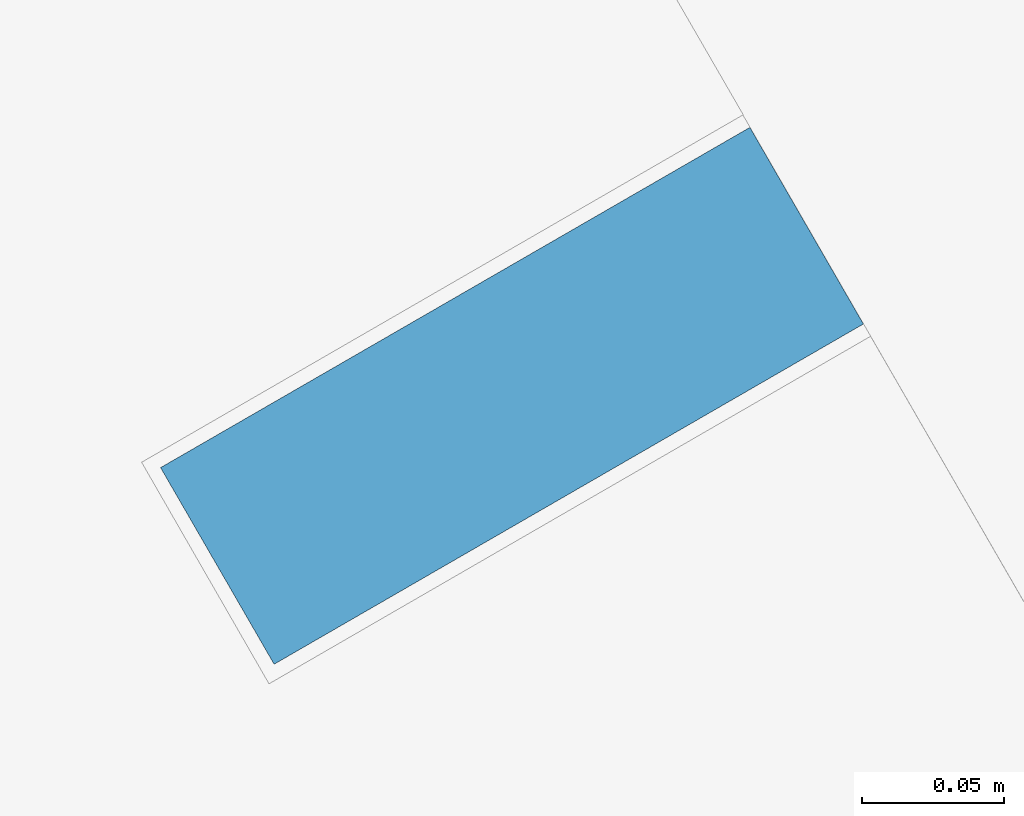
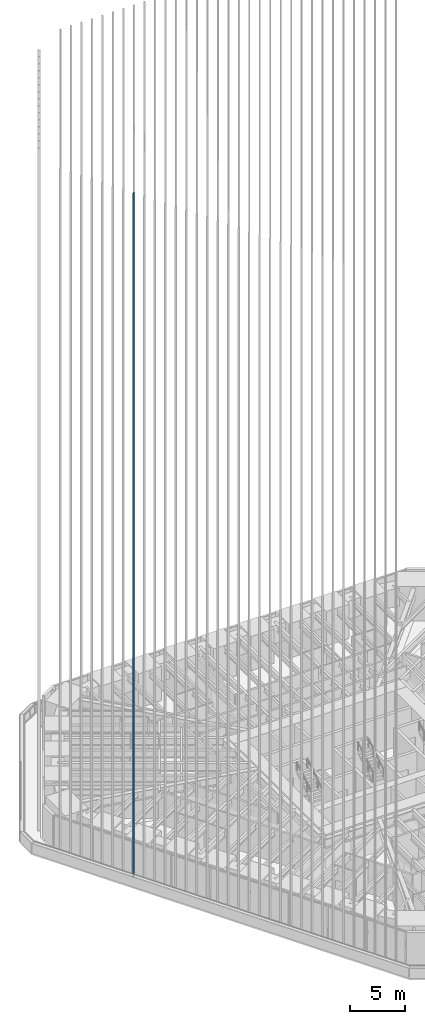
# One storey, part 50 of 238: 1 member, 1 element without a shape of its own.
"""IFC4 building model written with IfcOpenShell, lengths in metres."""

import ifcopenshell
import ifcopenshell.guid

model = None  # the IFC model being written
_history = None  # IfcOwnerHistory: only IFC2X3 demands one
_inside = {}  # id of a spatial element -> (the spatial element, [elements in it])
_under = {}  # id of a project, library or spatial element -> (it, [spatial elements below it])
_declared = {}  # id of a project -> (the project, [libraries it declares])
_typed = {}  # id of a type object -> (the type object, [elements of that type])
_made_of = {}  # id of a material, layer set ... -> (it, [elements and type objects made of it])


def new_model(schema):
    """Start an empty IFC model of exactly this schema.

    Asked for "IFC4X3", IfcOpenShell would pick the latest addendum, in which some entities
    have other attributes; the version numbers below select the first issue.
    IFC2X3 requires an IfcOwnerHistory on every rooted entity: one is made here for all.
    """
    global model, _history
    if schema == "IFC4X3":
        model = ifcopenshell.file(schema_version=(4, 3, 0, 0))
    else:
        model = ifcopenshell.file(schema=schema)
    _inside.clear()
    _under.clear()
    _declared.clear()
    _typed.clear()
    _made_of.clear()
    _history = None
    if model.schema == "IFC2X3":
        org = make("IfcOrganization", Name="unknown")
        user = make(
            "IfcPersonAndOrganization",
            ThePerson=make("IfcPerson", FamilyName="unknown"),
            TheOrganization=org,
        )
        app = make(
            "IfcApplication",
            ApplicationDeveloper=org,
            Version="unknown",
            ApplicationFullName="unknown",
            ApplicationIdentifier="unknown",
        )
        _history = make(
            "IfcOwnerHistory",
            OwningUser=user,
            OwningApplication=app,
            ChangeAction="ADDED",
            CreationDate=0,
        )
    return model


def make(cls, **values):
    """One entity of the class cls with the attributes given. An attribute that is None is left unset."""
    return model.create_entity(
        cls, **{name: value for name, value in values.items() if value is not None}
    )


def rooted(cls, **values):
    """An entity with a GlobalId (a new one), such as an element, a storey or a relation."""
    return make(cls, GlobalId=ifcopenshell.guid.new(), OwnerHistory=_history, **values)


def si_unit(unit_type, name, prefix=None):
    """IfcSIUnit, for example si_unit("LENGTHUNIT", "METRE", prefix="MILLI")."""
    return make("IfcSIUnit", UnitType=unit_type, Prefix=prefix, Name=name)


def assignment(units):
    """IfcUnitAssignment: the units of a project."""
    return None if units is None else make("IfcUnitAssignment", Units=units)


def point(xyz):
    """IfcCartesianPoint."""
    return None if xyz is None else make("IfcCartesianPoint", Coordinates=xyz)


def direction(xyz):
    """IfcDirection."""
    return None if xyz is None else make("IfcDirection", DirectionRatios=xyz)


def frame(location, z_axis=None, x_axis=None):
    """IfcAxis2Placement3D, a coordinate frame: its origin and axes. An axis left out is left unset."""
    return make(
        "IfcAxis2Placement3D",
        Location=point(location),
        Axis=direction(z_axis),
        RefDirection=direction(x_axis),
    )


def frame_2d(location, x_axis=None):
    """IfcAxis2Placement2D, a coordinate frame in the plane: its origin and x axis."""
    return make(
        "IfcAxis2Placement2D", Location=point(location), RefDirection=direction(x_axis)
    )


def origin():
    """The frame at (0, 0, 0) with its axes left unset."""
    return frame((0.0, 0.0, 0.0))


def origin_2d():
    """The frame at (0, 0) in the plane with its x axis left unset."""
    return frame_2d((0.0, 0.0))


def place(relative_to, where):
    """IfcLocalPlacement: puts the frame where relative to a parent placement (None: the world)."""
    return make(
        "IfcLocalPlacement", PlacementRelTo=relative_to, RelativePlacement=where
    )


def context(
    kind, dimensions, precision=None, world=None, true_north=None, identifier=None
):
    """IfcGeometricRepresentationContext, for example the 3D "Model" context."""
    return make(
        "IfcGeometricRepresentationContext",
        ContextIdentifier=identifier,
        ContextType=kind,
        CoordinateSpaceDimension=dimensions,
        Precision=precision,
        WorldCoordinateSystem=world,
        TrueNorth=true_north,
    )


def subcontext(parent, identifier, kind, view, scale=None):
    """IfcGeometricRepresentationSubContext, for example "Body" below "Model"."""
    return make(
        "IfcGeometricRepresentationSubContext",
        ContextIdentifier=identifier,
        ContextType=kind,
        ParentContext=parent,
        TargetScale=scale,
        TargetView=view,
    )


def project(units=None, contexts=None):
    """IfcProject with its units and contexts."""
    return rooted(
        "IfcProject",
        Name="project",
        RepresentationContexts=contexts,
        UnitsInContext=assignment(units),
    )


def spatial(cls, under=None, at=None, **own):
    """A site, building, storey or space (cls), placed at a placement, below another one or the project."""
    s = rooted(cls, ObjectPlacement=at, **own)
    if under is not None:
        _under.setdefault(under.id(), (under, []))[1].append(s)
    return s


def profile(cls, at=None, kind="AREA", **sizes):
    """A parametric profile (cls). Its sizes go by their IFC names, for example OverallWidth=200.0."""
    return make(cls, ProfileType=kind, Position=at, **sizes)


def rectangle(**sizes):
    """IfcRectangleProfileDef."""
    return profile("IfcRectangleProfileDef", **sizes)


def extrude(swept, where, along, depth):
    """IfcExtrudedAreaSolid: the profile swept, set in the frame where, extruded along a direction by depth."""
    return make(
        "IfcExtrudedAreaSolid",
        SweptArea=swept,
        Position=where,
        ExtrudedDirection=direction(along),
        Depth=depth,
    )


def shape(context_of_items, identifier, shape_type, items):
    """IfcShapeRepresentation: the items that make up one representation, for example the "Body"."""
    return make(
        "IfcShapeRepresentation",
        ContextOfItems=context_of_items,
        RepresentationIdentifier=identifier,
        RepresentationType=shape_type,
        Items=items,
    )


def material(Name=None, Category=None):
    """IfcMaterial."""
    return make("IfcMaterial", Name=Name, Category=Category)


def material_profile(
    of_material, cross_section, Name=None, Category=None, Priority=None
):
    """IfcMaterialProfile: a cross section and its material."""
    return make(
        "IfcMaterialProfile",
        Name=Name,
        Material=of_material,
        Profile=cross_section,
        Priority=Priority,
        Category=Category,
    )


def profile_set(profiles, Name=None, composite=None):
    """IfcMaterialProfileSet."""
    return make(
        "IfcMaterialProfileSet",
        Name=Name,
        MaterialProfiles=profiles,
        CompositeProfile=composite,
    )


def made_of(thing, what):
    """Note that an element or type object is made of a material, layer set ...; save() writes the relation."""
    if what is not None:
        _made_of.setdefault(what.id(), (what, []))[1].append(thing)
    return thing


def type_object(cls, material=None, **own):
    """A type object (cls), such as IfcWallType, which elements share."""
    return made_of(rooted(cls, **own), material)


def element(
    cls,
    number,
    at=None,
    inside=None,
    cuts=None,
    type_object=None,
    material=None,
    context=None,
    identifier="Body",
    shape_type=None,
    held_by="IfcProductDefinitionShape",
    body=None,
    shapes=None,
    **own,
):
    """One element of the class cls, such as IfcWall. Its Tag is "e" and its number.

    at: its placement. inside: the storey or other place that contains it. cuts: it is an
    opening in that element (IfcRelVoidsElement). A single representation is given by context,
    identifier, shape_type and body (its items); several are given by shapes. held_by: the class
    of the entity that holds the representations. save() writes the other relations.
    """
    e = rooted(cls, Tag="e%d" % number, ObjectPlacement=at, **own)
    if body is not None:
        shapes = [shape(context, identifier, shape_type, body)]
    if shapes is not None:
        e.Representation = make(held_by, Representations=shapes)
    if inside is not None:
        _inside.setdefault(inside.id(), (inside, []))[1].append(e)
    if cuts is not None:
        rooted(
            "IfcRelVoidsElement", RelatingBuildingElement=cuts, RelatedOpeningElement=e
        )
    if type_object is not None:
        _typed.setdefault(type_object.id(), (type_object, []))[1].append(e)
    return made_of(e, material)


def aggregate(whole, parts):
    """IfcRelAggregates: a whole, such as a stair, and the parts it consists of."""
    return rooted("IfcRelAggregates", RelatingObject=whole, RelatedObjects=parts)


def save(model, path):
    """Write the relations noted so far, then the file.

    IfcRelAggregates (storeys below a building ...), IfcRelContainedInSpatialStructure (elements
    in a storey), IfcRelDefinesByType, IfcRelAssociatesMaterial and IfcRelDeclares: one each for
    every whole, place, type object, material and project.
    """
    for whole, parts in _under.values():
        aggregate(whole, parts)
    for where, things in _inside.values():
        rooted(
            "IfcRelContainedInSpatialStructure",
            RelatedElements=things,
            RelatingStructure=where,
        )
    for kind, things in _typed.values():
        rooted("IfcRelDefinesByType", RelatedObjects=things, RelatingType=kind)
    for what, things in _made_of.values():
        rooted("IfcRelAssociatesMaterial", RelatedObjects=things, RelatingMaterial=what)
    for by, libraries in _declared.values():
        rooted("IfcRelDeclares", RelatingContext=by, RelatedDefinitions=libraries)
    model.write(path)


model = new_model("IFC4")

# Units and contexts
model_context = context("Model", 3, precision=1e-05, world=origin(), true_north=direction((0.0, 1.0)))
body_context = subcontext(model_context, "Body", "Model", "MODEL_VIEW")
ifc_project = project(units=[si_unit("LENGTHUNIT", "METRE"), si_unit("AREAUNIT", "SQUARE_METRE"), si_unit("VOLUMEUNIT", "CUBIC_METRE"), si_unit("PLANEANGLEUNIT", "RADIAN"), si_unit("MASSUNIT", "GRAM", prefix="KILO")], contexts=[model_context])

# Site, building, storey
site_placement = place(None, origin())
site = spatial("IfcSite", under=ifc_project, at=site_placement, CompositionType="ELEMENT")
building_placement = place(site_placement, origin())
building = spatial("IfcBuilding", under=site, at=building_placement, Name="Sandreach Pilgrim Tower", CompositionType="ELEMENT")
storey_placement = place(building_placement, frame((0.0, 0.0, 96.800048828125)))
storey = spatial("IfcBuildingStorey", under=building, at=storey_placement, Name="L23", CompositionType="ELEMENT", Elevation=96.800048828125)

# Curtain wall, member
ifc_material_1 = material(Name="Aluminium framed curtain wall", Category="aluminium")
curtain_wall_type = type_object("IfcCurtainWallType", Name="Hotel tower curtain wall", PredefinedType="NOTDEFINED", material=ifc_material_1)
curtain_wall_placement = place(storey_placement, origin())
curtain_wall = element("IfcCurtainWall", 1, at=curtain_wall_placement, inside=storey, type_object=curtain_wall_type, Name="CW-2 L23 SW", PredefinedType="NOTDEFINED")
ifc_material_2 = material(Name="Extruded terracotta on aluminium core", Category="masonry")
ifc_material_profile = material_profile(ifc_material_2, rectangle(XDim=0.080078125, YDim=0.239990234375, at=origin_2d()), Name="TBW 80X240")
ifc_profile_set = profile_set([ifc_material_profile], Name="Extruded terracotta on aluminium core")
member_type = type_object("IfcMemberType", Name="Terracotta baguette west", PredefinedType="USERDEFINED", material=ifc_profile_set)
member_placement = place(storey_placement, frame((-24.80029296875, -2.872314453125, 0.0), z_axis=(0.0, 0.0, 1.0), x_axis=(-0.5, 0.866025403784, 0.0)))
member = element("IfcMember", 2, at=member_placement, type_object=member_type, Name="Baguette Z2 SW26", ObjectType="BAGUETTE", PredefinedType="USERDEFINED", context=body_context, shape_type="SweptSolid", body=[
    extrude(rectangle(XDim=0.080078125, YDim=0.239990234375, at=origin_2d()), origin(), (0.0, 0.0, 1.0), 75.83984375),
])
aggregate(curtain_wall, [member])

save(model, "model.ifc")
